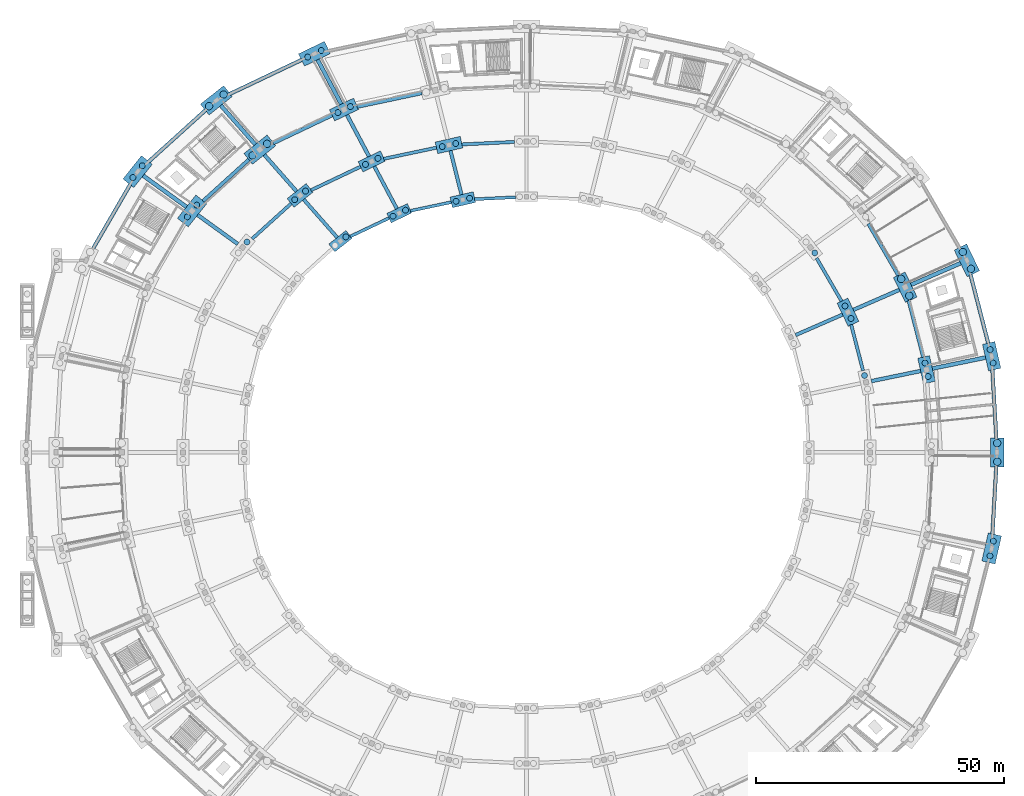
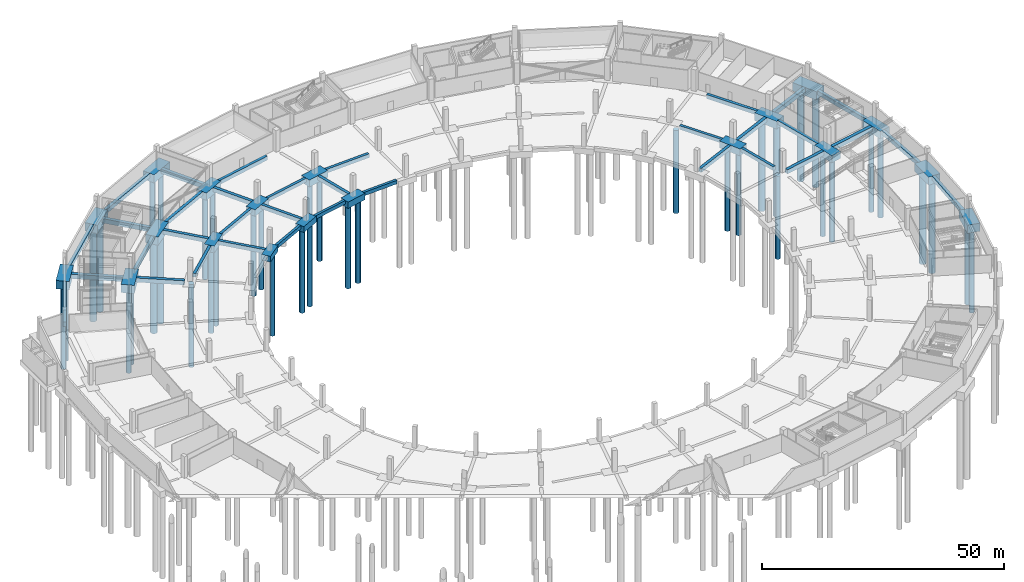
# One storey, part 5 of 49: 53 footings, 40 piles.
"""IFC4 building model written with IfcOpenShell, lengths in metres."""

from ifc_helpers import new_model, si_unit, direction, frame, origin, origin_2d, place, context, subcontext, project, spatial, rectangle, circle, extrude, material, material_profile, profile_set, type_object, element, save


model = new_model("IFC4")

# Units and contexts
model_context = context("Model", 3, precision=1e-05, world=origin(), true_north=direction((0.0, 1.0)))
body_context = subcontext(model_context, "Body", "Model", "MODEL_VIEW")
ifc_project = project(units=[si_unit("LENGTHUNIT", "METRE"), si_unit("AREAUNIT", "SQUARE_METRE"), si_unit("VOLUMEUNIT", "CUBIC_METRE"), si_unit("PLANEANGLEUNIT", "RADIAN"), si_unit("MASSUNIT", "GRAM", prefix="KILO")], contexts=[model_context])

# Site, building, storey
site_placement = place(None, origin())
site = spatial("IfcSite", under=ifc_project, at=site_placement, CompositionType="ELEMENT")
building_placement = place(site_placement, origin())
building = spatial("IfcBuilding", under=site, at=building_placement, Name="Kazemori Nagisa Stadium", CompositionType="ELEMENT")
storey_placement = place(building_placement, frame((0.0, 0.0, -5.43994140625)))
storey = spatial("IfcBuildingStorey", under=building, at=storey_placement, Name="B1", CompositionType="ELEMENT", Elevation=-5.43994140625)

# Footings
ifc_material_1 = material(Name="Concrete C40/50 (Fc42)", Category="concrete")
ifc_material_profile_1 = material_profile(ifc_material_1, rectangle(XDim=0.60009765625, YDim=0.89990234375, at=origin_2d()), Name="RC-FB-600x900")
ifc_profile_set_1 = profile_set([ifc_material_profile_1], Name="Concrete C40/50 (Fc42)")
footing_type_1 = type_object("IfcFootingType", Name="FootingBeam_FB-01", PredefinedType="FOOTING_BEAM", material=ifc_profile_set_1)
footing_1_placement = place(storey_placement, frame((120.822509765625, 153.4970703125, -0.449951171875), z_axis=(-0.998883768063, -0.047235769293, 0.0), x_axis=(0.047235769293, -0.998883768063, 0.0)))
element("IfcFooting", 1, at=footing_1_placement, inside=storey, type_object=footing_type_1, Name="Footing tie beam FB-01 R0-08", PredefinedType="FOOTING_BEAM", context=body_context, shape_type="SweptSolid", body=[
    extrude(rectangle(XDim=0.60009765625, YDim=0.89990234375, at=origin_2d()), origin(), (0.0, 0.0, 1.0), 8.31103515625),
])
footing_2_placement = place(storey_placement, frame((107.81494140625, 152.49951171875, -0.449951171875), z_axis=(-0.978344527802, -0.206983054668, 0.0), x_axis=(0.206983054668, -0.978344527802, 0.0)))
element("IfcFooting", 2, at=footing_2_placement, inside=storey, type_object=footing_type_1, Name="Footing tie beam FB-01 R0-09", PredefinedType="FOOTING_BEAM", context=body_context, shape_type="SweptSolid", body=[
    extrude(rectangle(XDim=0.60009765625, YDim=0.89990234375, at=origin_2d()), origin(), (0.0, 0.0, 1.0), 8.4501953125),
])
footing_3_placement = place(storey_placement, frame((95.2578125, 149.300048828125, -0.449951171875), z_axis=(-0.903216511221, -0.429185197623, 0.0), x_axis=(0.429185197623, -0.903216511221, 0.0)))
element("IfcFooting", 3, at=footing_3_placement, inside=storey, type_object=footing_type_1, Name="Footing tie beam FB-01 R0-10", PredefinedType="FOOTING_BEAM", context=body_context, shape_type="SweptSolid", body=[
    extrude(rectangle(XDim=0.60009765625, YDim=0.89990234375, at=origin_2d()), origin(), (0.0, 0.0, 1.0), 8.6884765625),
])
ifc_material_profile_2 = material_profile(ifc_material_1, rectangle(XDim=0.64990234375, YDim=0.949951171875, at=origin_2d()), Name="RC-FB-650x950")
ifc_profile_set_2 = profile_set([ifc_material_profile_2], Name="Concrete C40/50 (Fc42)")
footing_type_2 = type_object("IfcFootingType", Name="FootingBeam_FB-02", PredefinedType="FOOTING_BEAM", material=ifc_profile_set_2)
footing_4_placement = place(storey_placement, frame((190.925537109375, 118.51318359375, -0.47509765625), z_axis=(-0.249952010373, 0.968258226152, 0.0), x_axis=(-0.968258226152, -0.249952010373, 0.0)))
element("IfcFooting", 4, at=footing_4_placement, inside=storey, type_object=footing_type_2, Name="Footing tie beam FB-02 R1-02", PredefinedType="FOOTING_BEAM", context=body_context, shape_type="SweptSolid", body=[
    extrude(rectangle(XDim=0.64990234375, YDim=0.949951171875, at=origin_2d()), origin(), (0.0, 0.0, 1.0), 9.580078125),
])
footing_5_placement = place(storey_placement, frame((186.591796875, 132.51904296875, -0.47509765625), z_axis=(-0.50160440657, 0.865097115536, 0.0), x_axis=(-0.865097115536, -0.50160440657, 0.0)))
element("IfcFooting", 5, at=footing_5_placement, inside=storey, type_object=footing_type_2, Name="Footing tie beam FB-02 R1-03", PredefinedType="FOOTING_BEAM", context=body_context, shape_type="SweptSolid", body=[
    extrude(rectangle(XDim=0.64990234375, YDim=0.949951171875, at=origin_2d()), origin(), (0.0, 0.0, 1.0), 10.06005859375),
])
footing_6_placement = place(storey_placement, frame((120.57275390625, 164.665283203125, -0.47509765625), z_axis=(-0.998884313334, -0.047224237153, 0.0), x_axis=(0.047224237153, -0.998884313334, 0.0)))
element("IfcFooting", 6, at=footing_6_placement, inside=storey, type_object=footing_type_2, Name="Footing tie beam FB-02 R1-08", PredefinedType="FOOTING_BEAM", context=body_context, shape_type="SweptSolid", body=[
    extrude(rectangle(XDim=0.64990234375, YDim=0.949951171875, at=origin_2d()), origin(), (0.0, 0.0, 1.0), 10.64990234375),
])
footing_7_placement = place(storey_placement, frame((104.833740234375, 163.50634765625, -0.47509765625), z_axis=(-0.978344989236, -0.206980873599, 0.0), x_axis=(0.206980873599, -0.978344989236, 0.0)))
element("IfcFooting", 7, at=footing_7_placement, inside=storey, type_object=footing_type_2, Name="Footing tie beam FB-02 R1-09", PredefinedType="FOOTING_BEAM", context=body_context, shape_type="SweptSolid", body=[
    extrude(rectangle(XDim=0.64990234375, YDim=0.949951171875, at=origin_2d()), origin(), (0.0, 0.0, 1.0), 10.890625),
])
footing_8_placement = place(storey_placement, frame((89.5126953125, 159.674560546875, -0.47509765625), z_axis=(-0.903217972264, -0.429182122855, 0.0), x_axis=(0.429182122855, -0.903217972264, 0.0)))
element("IfcFooting", 8, at=footing_8_placement, inside=storey, type_object=footing_type_2, Name="Footing tie beam FB-02 R1-10", PredefinedType="FOOTING_BEAM", context=body_context, shape_type="SweptSolid", body=[
    extrude(rectangle(XDim=0.64990234375, YDim=0.949951171875, at=origin_2d()), origin(), (0.0, 0.0, 1.0), 11.08740234375),
])
footing_9_placement = place(storey_placement, frame((75.501953125, 152.2421875, -0.47509765625), z_axis=(-0.741350995567, -0.671117501912, 0.0), x_axis=(0.671117501912, -0.741350995567, 0.0)))
element("IfcFooting", 9, at=footing_9_placement, inside=storey, type_object=footing_type_2, Name="Footing tie beam FB-02 R1-11", PredefinedType="FOOTING_BEAM", context=body_context, shape_type="SweptSolid", body=[
    extrude(rectangle(XDim=0.64990234375, YDim=0.949951171875, at=origin_2d()), origin(), (0.0, 0.0, 1.0), 10.643798828125),
])
ifc_material_profile_3 = material_profile(ifc_material_1, rectangle(XDim=0.699951171875, YDim=1.0, at=origin_2d()), Name="RC-FB-700x1000")
ifc_profile_set_3 = profile_set([ifc_material_profile_3], Name="Concrete C40/50 (Fc42)")
footing_type_3 = type_object("IfcFootingType", Name="FootingBeam_FB-03", PredefinedType="FOOTING_BEAM", material=ifc_profile_set_3)
footing_10_placement = place(storey_placement, frame((203.080078125, 121.228515625, -0.5), z_axis=(-0.249961396027, 0.968255803234, 0.0), x_axis=(-0.968255803234, -0.249961396027, 0.0)))
element("IfcFooting", 10, at=footing_10_placement, inside=storey, type_object=footing_type_3, Name="Footing tie beam FB-03 R2-02", PredefinedType="FOOTING_BEAM", context=body_context, shape_type="SweptSolid", body=[
    extrude(rectangle(XDim=0.699951171875, YDim=1.0, at=origin_2d()), origin(), (0.0, 0.0, 1.0), 11.778076171875),
])
footing_11_placement = place(storey_placement, frame((198.046630859375, 137.7294921875, -0.5), z_axis=(-0.501617443405, 0.86508955633, 0.0), x_axis=(-0.86508955633, -0.501617443405, 0.0)))
element("IfcFooting", 11, at=footing_11_placement, inside=storey, type_object=footing_type_3, Name="Footing tie beam FB-03 R2-03", PredefinedType="FOOTING_BEAM", context=body_context, shape_type="SweptSolid", body=[
    extrude(rectangle(XDim=0.699951171875, YDim=1.0, at=origin_2d()), origin(), (0.0, 0.0, 1.0), 12.052734375),
])
footing_12_placement = place(storey_placement, frame((101.852294921875, 174.51318359375, -0.5), z_axis=(-0.978345281718, -0.206979491108, 0.0), x_axis=(0.206979491108, -0.978345281718, 0.0)))
element("IfcFooting", 12, at=footing_12_placement, inside=storey, type_object=footing_type_3, Name="Footing tie beam FB-03 R2-09", PredefinedType="FOOTING_BEAM", context=body_context, shape_type="SweptSolid", body=[
    extrude(rectangle(XDim=0.699951171875, YDim=1.0, at=origin_2d()), origin(), (0.0, 0.0, 1.0), 13.3310546875),
])
footing_13_placement = place(storey_placement, frame((83.767333984375, 170.049072265625, -0.5), z_axis=(-0.903212375508, -0.429193901085, 0.0), x_axis=(0.429193901085, -0.903212375508, 0.0)))
element("IfcFooting", 13, at=footing_13_placement, inside=storey, type_object=footing_type_3, Name="Footing tie beam FB-03 R2-10", PredefinedType="FOOTING_BEAM", context=body_context, shape_type="SweptSolid", body=[
    extrude(rectangle(XDim=0.699951171875, YDim=1.0, at=origin_2d()), origin(), (0.0, 0.0, 1.0), 13.186279296875),
])
footing_14_placement = place(storey_placement, frame((66.95654296875, 161.11083984375, -0.5), z_axis=(-0.741353641267, -0.671114579323, 0.0), x_axis=(0.671114579323, -0.741353641267, 0.0)))
element("IfcFooting", 14, at=footing_14_placement, inside=storey, type_object=footing_type_3, Name="Footing tie beam FB-03 R2-11", PredefinedType="FOOTING_BEAM", context=body_context, shape_type="SweptSolid", body=[
    extrude(rectangle(XDim=0.699951171875, YDim=1.0, at=origin_2d()), origin(), (0.0, 0.0, 1.0), 12.481689453125),
])
footing_15_placement = place(storey_placement, frame((177.321044921875, 125.681396484375, -0.5), z_axis=(0.916674906434, 0.399633727198, 0.0), x_axis=(-0.399633727198, 0.916674906434, 0.0)))
element("IfcFooting", 15, at=footing_15_placement, inside=storey, type_object=footing_type_3, Name="Footing tie beam FB-03 R0-R1-03", PredefinedType="FOOTING_BEAM", context=body_context, shape_type="SweptSolid", body=[
    extrude(rectangle(XDim=0.699951171875, YDim=1.0, at=origin_2d()), origin(), (0.0, 0.0, 1.0), 10.34521484375),
])
footing_16_placement = place(storey_placement, frame((109.87939453125, 154.039306640625, -0.5), z_axis=(-0.24448473673, 0.969653140822, 0.0), x_axis=(-0.969653140822, -0.24448473673, 0.0)))
element("IfcFooting", 16, at=footing_16_placement, inside=storey, type_object=footing_type_3, Name="Footing tie beam FB-03 R0-R1-09", PredefinedType="FOOTING_BEAM", context=body_context, shape_type="SweptSolid", body=[
    extrude(rectangle(XDim=0.699951171875, YDim=1.0, at=origin_2d()), origin(), (0.0, 0.0, 1.0), 9.134033203125),
])
footing_17_placement = place(storey_placement, frame((96.83349609375, 151.18798828125, -0.5), z_axis=(-0.469669808889, 0.882842154985, 0.0), x_axis=(-0.882842154985, -0.469669808889, 0.0)))
element("IfcFooting", 17, at=footing_17_placement, inside=storey, type_object=footing_type_3, Name="Footing tie beam FB-03 R0-R1-10", PredefinedType="FOOTING_BEAM", context=body_context, shape_type="SweptSolid", body=[
    extrude(rectangle(XDim=0.699951171875, YDim=1.0, at=origin_2d()), origin(), (0.0, 0.0, 1.0), 9.688232421875),
])
footing_18_placement = place(storey_placement, frame((84.79345703125, 145.370849609375, -0.5), z_axis=(-0.66102446192, 0.750364351994, 0.0), x_axis=(-0.750364351994, -0.66102446192, 0.0)))
element("IfcFooting", 18, at=footing_18_placement, inside=storey, type_object=footing_type_3, Name="Footing tie beam FB-03 R0-R1-11", PredefinedType="FOOTING_BEAM", context=body_context, shape_type="SweptSolid", body=[
    extrude(rectangle(XDim=0.699951171875, YDim=1.0, at=origin_2d()), origin(), (0.0, 0.0, 1.0), 10.225830078125),
])
ifc_material_profile_4 = material_profile(ifc_material_1, rectangle(XDim=0.75, YDim=1.050048828125, at=origin_2d()), Name="RC-FB-750x1050")
ifc_profile_set_4 = profile_set([ifc_material_profile_4], Name="Concrete C40/50 (Fc42)")
footing_type_4 = type_object("IfcFootingType", Name="FootingBeam_FB-04", PredefinedType="FOOTING_BEAM", material=ifc_profile_set_4)
footing_19_placement = place(storey_placement, frame((217.834228515625, 104.875244140625, -0.525146484375), z_axis=(-0.057608724806, 0.998339238348, 0.0), x_axis=(-0.998339238348, -0.057608724806, 0.0)))
element("IfcFooting", 19, at=footing_19_placement, inside=storey, type_object=footing_type_4, Name="Footing tie beam FB-04 R3-01", PredefinedType="FOOTING_BEAM", context=body_context, shape_type="SweptSolid", body=[
    extrude(rectangle(XDim=0.75, YDim=1.050048828125, at=origin_2d()), origin(), (0.0, 0.0, 1.0), 13.81982421875),
])
footing_20_placement = place(storey_placement, frame((216.198486328125, 124.041015625, -0.525146484375), z_axis=(-0.24996439027, 0.968255030246, 0.0), x_axis=(-0.968255030246, -0.24996439027, 0.0)))
element("IfcFooting", 20, at=footing_20_placement, inside=storey, type_object=footing_type_4, Name="Footing tie beam FB-04 R3-02", PredefinedType="FOOTING_BEAM", context=body_context, shape_type="SweptSolid", body=[
    extrude(rectangle(XDim=0.75, YDim=1.050048828125, at=origin_2d()), origin(), (0.0, 0.0, 1.0), 14.2763671875),
])
footing_21_placement = place(storey_placement, frame((77.593994140625, 181.228271484375, -0.525146484375), z_axis=(-0.90321354829, -0.42919143303, 0.0), x_axis=(0.42919143303, -0.90321354829, 0.0)))
element("IfcFooting", 21, at=footing_21_placement, inside=storey, type_object=footing_type_4, Name="Footing tie beam FB-04 R3-10", PredefinedType="FOOTING_BEAM", context=body_context, shape_type="SweptSolid", body=[
    extrude(rectangle(XDim=0.75, YDim=1.050048828125, at=origin_2d()), origin(), (0.0, 0.0, 1.0), 16.054443359375),
])
footing_22_placement = place(storey_placement, frame((58.19287109375, 171.05908203125, -0.525146484375), z_axis=(-0.741348232984, -0.671120553591, 0.0), x_axis=(0.671120553591, -0.741348232984, 0.0)))
element("IfcFooting", 22, at=footing_22_placement, inside=storey, type_object=footing_type_4, Name="Footing tie beam FB-04 R3-11", PredefinedType="FOOTING_BEAM", context=body_context, shape_type="SweptSolid", body=[
    extrude(rectangle(XDim=0.75, YDim=1.050048828125, at=origin_2d()), origin(), (0.0, 0.0, 1.0), 15.48388671875),
])
footing_23_placement = place(storey_placement, frame((43.009765625, 156.089599609375, -0.525146484375), z_axis=(-0.501604431763, -0.865097100929, 0.0), x_axis=(0.865097100929, -0.501604431763, 0.0)))
element("IfcFooting", 23, at=footing_23_placement, inside=storey, type_object=footing_type_4, Name="Footing tie beam FB-04 R3-12", PredefinedType="FOOTING_BEAM", context=body_context, shape_type="SweptSolid", body=[
    extrude(rectangle(XDim=0.75, YDim=1.050048828125, at=origin_2d()), origin(), (0.0, 0.0, 1.0), 14.852294921875),
])
footing_24_placement = place(storey_placement, frame((217.046630859375, 85.4775390625, -0.525146484375), z_axis=(0.057615362479, 0.998338855302, 0.0), x_axis=(-0.998338855302, 0.057615362479, 0.0)))
element("IfcFooting", 24, at=footing_24_placement, inside=storey, type_object=footing_type_4, Name="Footing tie beam FB-04 R3-28", PredefinedType="FOOTING_BEAM", context=body_context, shape_type="SweptSolid", body=[
    extrude(rectangle(XDim=0.75, YDim=1.050048828125, at=origin_2d()), origin(), (0.0, 0.0, 1.0), 13.669921875),
])
footing_25_placement = place(storey_placement, frame((192.615234375, 116.3837890625, -0.525146484375), z_axis=(0.979310240973, 0.20236465088, 0.0), x_axis=(-0.20236465088, 0.979310240973, 0.0)))
element("IfcFooting", 25, at=footing_25_placement, inside=storey, type_object=footing_type_4, Name="Footing tie beam FB-04 R1-R2-02", PredefinedType="FOOTING_BEAM", context=body_context, shape_type="SweptSolid", body=[
    extrude(rectangle(XDim=0.75, YDim=1.050048828125, at=origin_2d()), origin(), (0.0, 0.0, 1.0), 10.152099609375),
])
footing_26_placement = place(storey_placement, frame((188.9677734375, 130.7587890625, -0.525146484375), z_axis=(0.916680142316, 0.399621716982, 0.0), x_axis=(-0.399621716982, 0.916680142316, 0.0)))
element("IfcFooting", 26, at=footing_26_placement, inside=storey, type_object=footing_type_4, Name="Footing tie beam FB-04 R1-R2-03", PredefinedType="FOOTING_BEAM", context=body_context, shape_type="SweptSolid", body=[
    extrude(rectangle(XDim=0.75, YDim=1.050048828125, at=origin_2d()), origin(), (0.0, 0.0, 1.0), 10.14501953125),
])
footing_27_placement = place(storey_placement, frame((91.221923828125, 161.736572265625, -0.525146484375), z_axis=(-0.469662472515, 0.882846057878, 0.0), x_axis=(-0.882846057878, -0.469662472515, 0.0)))
element("IfcFooting", 27, at=footing_27_placement, inside=storey, type_object=footing_type_4, Name="Footing tie beam FB-04 R1-R2-10", PredefinedType="FOOTING_BEAM", context=body_context, shape_type="SweptSolid", body=[
    extrude(rectangle(XDim=0.75, YDim=1.050048828125, at=origin_2d()), origin(), (0.0, 0.0, 1.0), 9.48828125),
])
footing_28_placement = place(storey_placement, frame((76.572998046875, 154.7021484375, -0.525146484375), z_axis=(-0.661019884248, 0.750368384615, 0.0), x_axis=(-0.750368384615, -0.661019884248, 0.0)))
element("IfcFooting", 28, at=footing_28_placement, inside=storey, type_object=footing_type_4, Name="Footing tie beam FB-04 R1-R2-11", PredefinedType="FOOTING_BEAM", context=body_context, shape_type="SweptSolid", body=[
    extrude(rectangle(XDim=0.75, YDim=1.050048828125, at=origin_2d()), origin(), (0.0, 0.0, 1.0), 9.825927734375),
])
footing_29_placement = place(storey_placement, frame((64.74169921875, 144.05810546875, -0.525146484375), z_axis=(-0.81079607804, 0.585328728011, 0.0), x_axis=(-0.585328728011, -0.81079607804, 0.0)))
element("IfcFooting", 29, at=footing_29_placement, inside=storey, type_object=footing_type_4, Name="Footing tie beam FB-04 R1-R2-12", PredefinedType="FOOTING_BEAM", context=body_context, shape_type="SweptSolid", body=[
    extrude(rectangle(XDim=0.75, YDim=1.050048828125, at=origin_2d()), origin(), (0.0, 0.0, 1.0), 10.02587890625),
])
ifc_material_profile_5 = material_profile(ifc_material_1, rectangle(XDim=0.800048828125, YDim=1.10009765625, at=origin_2d()), Name="RC-FB-800x1100")
ifc_profile_set_5 = profile_set([ifc_material_profile_5], Name="Concrete C40/50 (Fc42)")
footing_type_5 = type_object("IfcFootingType", Name="FootingBeam_FB-05", PredefinedType="FOOTING_BEAM", material=ifc_profile_set_5)
footing_30_placement = place(storey_placement, frame((204.91748046875, 118.92578125, -0.550048828125), z_axis=(0.979312654266, 0.202352971798, 0.0), x_axis=(-0.202352971798, 0.979312654266, 0.0)))
element("IfcFooting", 30, at=footing_30_placement, inside=storey, type_object=footing_type_5, Name="Footing tie beam FB-05 R2-R3-02", PredefinedType="FOOTING_BEAM", context=body_context, shape_type="SweptSolid", body=[
    extrude(rectangle(XDim=0.800048828125, YDim=1.10009765625, at=origin_2d()), origin(), (0.0, 0.0, 1.0), 10.961181640625),
])
footing_31_placement = place(storey_placement, frame((200.614501953125, 135.836181640625, -0.550048828125), z_axis=(0.916679157117, 0.399623976893, 0.0), x_axis=(-0.399623976893, 0.916679157117, 0.0)))
element("IfcFooting", 31, at=footing_31_placement, inside=storey, type_object=footing_type_5, Name="Footing tie beam FB-05 R2-R3-03", PredefinedType="FOOTING_BEAM", context=body_context, shape_type="SweptSolid", body=[
    extrude(rectangle(XDim=0.800048828125, YDim=1.10009765625, at=origin_2d()), origin(), (0.0, 0.0, 1.0), 10.914794921875),
])
footing_32_placement = place(storey_placement, frame((85.6103515625, 172.28515625, -0.550048828125), z_axis=(-0.469663907112, 0.88284529469, 0.0), x_axis=(-0.88284529469, -0.469663907112, 0.0)))
element("IfcFooting", 32, at=footing_32_placement, inside=storey, type_object=footing_type_5, Name="Footing tie beam FB-05 R2-R3-10", PredefinedType="FOOTING_BEAM", context=body_context, shape_type="SweptSolid", body=[
    extrude(rectangle(XDim=0.800048828125, YDim=1.10009765625, at=origin_2d()), origin(), (0.0, 0.0, 1.0), 10.175048828125),
])
footing_33_placement = place(storey_placement, frame((68.25341796875, 164.146240234375, -0.550048828125), z_axis=(-0.661018384003, 0.750369706218, 0.0), x_axis=(-0.750369706218, -0.661018384003, 0.0)))
element("IfcFooting", 33, at=footing_33_placement, inside=storey, type_object=footing_type_5, Name="Footing tie beam FB-05 R2-R3-11", PredefinedType="FOOTING_BEAM", context=body_context, shape_type="SweptSolid", body=[
    extrude(rectangle(XDim=0.800048828125, YDim=1.10009765625, at=origin_2d()), origin(), (0.0, 0.0, 1.0), 10.497802734375),
])
footing_34_placement = place(storey_placement, frame((54.375, 151.5419921875, -0.550048828125), z_axis=(-0.810794921926, 0.585330329454, 0.0), x_axis=(-0.585330329454, -0.810794921926, 0.0)))
element("IfcFooting", 34, at=footing_34_placement, inside=storey, type_object=footing_type_5, Name="Footing tie beam FB-05 R2-R3-12", PredefinedType="FOOTING_BEAM", context=body_context, shape_type="SweptSolid", body=[
    extrude(rectangle(XDim=0.800048828125, YDim=1.10009765625, at=origin_2d()), origin(), (0.0, 0.0, 1.0), 10.793701171875),
])
footing_type_6 = type_object("IfcFootingType", Name="PileCap_PC-01", PredefinedType="PILE_CAP", material=ifc_material_1)
footing_35_placement = place(storey_placement, frame((97.317138671875, 150.278564453125, -1.5), z_axis=(0.0, 0.0, 1.0), x_axis=(-0.900968867905, -0.433883739113, 0.0)))
element("IfcFooting", 35, at=footing_35_placement, inside=storey, type_object=footing_type_6, Name="Pile cap PC-01 R0-10", PredefinedType="PILE_CAP", context=body_context, shape_type="SweptSolid", body=[
    extrude(rectangle(XDim=4.60009765625, YDim=2.10009765625, at=origin_2d()), origin(), (0.0, 0.0, 1.0), 1.5),
])
footing_type_7 = type_object("IfcFootingType", Name="PileCap_PC-02", PredefinedType="PILE_CAP", material=ifc_material_1)
footing_36_placement = place(storey_placement, frame((110.143310546875, 152.9921875, -1.60009765625), z_axis=(0.0, 0.0, 1.0), x_axis=(-0.974927912182, -0.222520933954, 0.0)))
element("IfcFooting", 36, at=footing_36_placement, inside=storey, type_object=footing_type_7, Name="Pile cap PC-02 R0-09", PredefinedType="PILE_CAP", context=body_context, shape_type="SweptSolid", body=[
    extrude(rectangle(XDim=4.800048828125, YDim=2.199951171875, at=origin_2d()), origin(), (0.0, 0.0, 1.0), 1.60009765625),
])
footing_type_8 = type_object("IfcFootingType", Name="PileCap_PC-03", PredefinedType="PILE_CAP", material=ifc_material_1)
footing_37_placement = place(storey_placement, frame((91.75244140625, 160.739013671875, -1.64990234375), z_axis=(0.0, 0.0, 1.0), x_axis=(-0.900968867905, -0.433883739113, 0.0)))
element("IfcFooting", 37, at=footing_37_placement, inside=storey, type_object=footing_type_8, Name="Pile cap PC-03 R1-10", PredefinedType="PILE_CAP", context=body_context, shape_type="SweptSolid", body=[
    extrude(rectangle(XDim=5.0, YDim=2.300048828125, at=origin_2d()), origin(), (0.0, 0.0, 1.0), 1.64990234375),
])
footing_type_9 = type_object("IfcFootingType", Name="PileCap_PC-04", PredefinedType="PILE_CAP", material=ifc_material_1)
for number, where, z_axis, x_axis, name in (
    (38, (187.885986328125, 130.287109375, -1.75), (0.0, 0.0, 1.0), (-0.433883739113, 0.900968867905, 0.0), "Pile cap PC-04 R1-03"),
    (39, (107.35791015625, 164.040283203125, -1.75), (0.0, 0.0, 1.0), (-0.974927912182, -0.222520933954, 0.0), "Pile cap PC-04 R1-09"),
):
    element("IfcFooting", number, at=place(storey_placement, frame(where, z_axis=z_axis, x_axis=x_axis)), inside=storey, type_object=footing_type_9, Name=name, PredefinedType="PILE_CAP", context=body_context, shape_type="SweptSolid", body=[
        extrude(rectangle(XDim=5.199951171875, YDim=2.39990234375, at=origin_2d()), origin(), (0.0, 0.0, 1.0), 1.75),
    ])
footing_type_10 = type_object("IfcFootingType", Name="PileCap_PC-05", PredefinedType="PILE_CAP", material=ifc_material_1)
footing_38_placement = place(storey_placement, frame((86.18798828125, 171.19921875, -1.85009765625), z_axis=(0.0, 0.0, 1.0), x_axis=(-0.900968867905, -0.433883739113, 0.0)))
element("IfcFooting", 40, at=footing_38_placement, inside=storey, type_object=footing_type_10, Name="Pile cap PC-05 R2-10", PredefinedType="PILE_CAP", context=body_context, shape_type="SweptSolid", body=[
    extrude(rectangle(XDim=5.39990234375, YDim=2.5, at=origin_2d()), origin(), (0.0, 0.0, 1.0), 1.85009765625),
])
footing_type_11 = type_object("IfcFootingType", Name="PileCap_PC-06", PredefinedType="PILE_CAP", material=ifc_material_1)
footing_39_placement = place(storey_placement, frame((199.44091796875, 135.32470703125, -1.9501953125), z_axis=(0.0, 0.0, 1.0), x_axis=(-0.433883739113, 0.900968867905, 0.0)))
element("IfcFooting", 41, at=footing_39_placement, inside=storey, type_object=footing_type_11, Name="Pile cap PC-06 R2-03", PredefinedType="PILE_CAP", context=body_context, shape_type="SweptSolid", body=[
    extrude(rectangle(XDim=5.60009765625, YDim=2.60009765625, at=origin_2d()), origin(), (0.0, 0.0, 1.0), 1.949951171875),
])
footing_type_12 = type_object("IfcFootingType", Name="PileCap_PC-07", PredefinedType="PILE_CAP", material=ifc_material_1)
for number, where, z_axis, x_axis, name in (
    (42, (218.0, 102.0, -2.05029296875), (0.0, 0.0, 1.0), (0.0, 1.0, 0.0), "Pile cap PC-07 R3-01"),
    (43, (80.1953125, 182.46435546875, -2.05029296875), (0.0, 0.0, 1.0), (-0.900968867905, -0.433883739113, 0.0), "Pile cap PC-07 R3-10"),
    (44, (216.880859375, 82.602294921875, -2.05029296875), (0.0, 0.0, 1.0), (0.222520933954, 0.974927912182, 0.0), "Pile cap PC-07 R3-28"),
):
    element("IfcFooting", number, at=place(storey_placement, frame(where, z_axis=z_axis, x_axis=x_axis)), inside=storey, type_object=footing_type_12, Name=name, PredefinedType="PILE_CAP", context=body_context, shape_type="SweptSolid", body=[
        extrude(rectangle(XDim=5.800048828125, YDim=2.75, at=origin_2d()), origin(), (0.0, 0.0, 1.0), 2.050048828125),
    ])
footing_type_13 = type_object("IfcFootingType", Name="PileCap_PC-08", PredefinedType="PILE_CAP", material=ifc_material_1)
footing_40_placement = place(storey_placement, frame((85.441162109375, 144.635498046875, -1.4501953125), z_axis=(0.0, 0.0, 1.0), x_axis=(-0.781831482473, -0.623489801853, 0.0)))
element("IfcFooting", 45, at=footing_40_placement, inside=storey, type_object=footing_type_13, Name="Pile cap PC-08 R0-11", PredefinedType="PILE_CAP", context=body_context, shape_type="SweptSolid", body=[
    extrude(rectangle(XDim=4.39990234375, YDim=2.0, at=origin_2d()), origin(), (0.0, 0.0, 1.0), 1.449951171875),
])
footing_type_14 = type_object("IfcFootingType", Name="PileCap_PC-09", PredefinedType="PILE_CAP", material=ifc_material_1)
footing_41_placement = place(storey_placement, frame((77.303466796875, 153.873046875, -1.7001953125), z_axis=(0.0, 0.0, 1.0), x_axis=(-0.781831482473, -0.623489801853, 0.0)))
element("IfcFooting", 46, at=footing_41_placement, inside=storey, type_object=footing_type_14, Name="Pile cap PC-09 R1-11", PredefinedType="PILE_CAP", context=body_context, shape_type="SweptSolid", body=[
    extrude(rectangle(XDim=4.89990234375, YDim=2.25, at=origin_2d()), origin(), (0.0, 0.0, 1.0), 1.699951171875),
])
footing_type_15 = type_object("IfcFootingType", Name="PileCap_PC-10", PredefinedType="PILE_CAP", material=ifc_material_1)
footing_42_placement = place(storey_placement, frame((203.737548828125, 118.68212890625, -1.80029296875), z_axis=(0.0, 0.0, 1.0), x_axis=(-0.222520933954, 0.974927912182, 0.0)))
element("IfcFooting", 47, at=footing_42_placement, inside=storey, type_object=footing_type_15, Name="Pile cap PC-10 R2-02", PredefinedType="PILE_CAP", context=body_context, shape_type="SweptSolid", body=[
    extrude(rectangle(XDim=5.300048828125, YDim=2.449951171875, at=origin_2d()), origin(), (0.0, 0.0, 1.0), 1.800048828125),
])
footing_type_16 = type_object("IfcFootingType", Name="PileCap_PC-11", PredefinedType="PILE_CAP", material=ifc_material_1)
footing_43_placement = place(storey_placement, frame((216.880859375, 121.397705078125, -1.89990234375), z_axis=(0.0, 0.0, 1.0), x_axis=(-0.222520933954, 0.974927912182, 0.0)))
element("IfcFooting", 48, at=footing_43_placement, inside=storey, type_object=footing_type_16, Name="Pile cap PC-11 R3-02", PredefinedType="PILE_CAP", context=body_context, shape_type="SweptSolid", body=[
    extrude(rectangle(XDim=5.5, YDim=2.550048828125, at=origin_2d()), origin(), (0.0, 0.0, 1.0), 1.89990234375),
])
footing_type_17 = type_object("IfcFootingType", Name="PileCap_PC-12", PredefinedType="PILE_CAP", material=ifc_material_1)
for number, where, z_axis, x_axis, name in (
    (49, (69.165771484375, 163.11083984375, -2.10009765625), (0.0, 0.0, 1.0), (-0.781831482473, -0.623489801853, 0.0), "Pile cap PC-12 R2-11"),
    (50, (55.493896484375, 150.734130859375, -2.10009765625), (0.0, 0.0, 1.0), (-0.623489801853, -0.781831482473, 0.0), "Pile cap PC-12 R2-12"),
    (51, (211.885009765625, 140.74951171875, -2.10009765625), (0.0, 0.0, 1.0), (-0.433883739113, 0.900968867905, 0.0), "Pile cap PC-12 R3-03"),
    (52, (60.402099609375, 173.05908203125, -2.10009765625), (0.0, 0.0, 1.0), (-0.781831482473, -0.623489801853, 0.0), "Pile cap PC-12 R3-11"),
    (53, (44.504638671875, 158.667724609375, -2.10009765625), (0.0, 0.0, 1.0), (-0.623489801853, -0.781831482473, 0.0), "Pile cap PC-12 R3-12"),
):
    element("IfcFooting", number, at=place(storey_placement, frame(where, z_axis=z_axis, x_axis=x_axis)), inside=storey, type_object=footing_type_17, Name=name, PredefinedType="PILE_CAP", context=body_context, shape_type="SweptSolid", body=[
        extrude(rectangle(XDim=6.0, YDim=2.800048828125, at=origin_2d()), origin(), (0.0, 0.0, 1.0), 2.10009765625),
    ])

# Piles
ifc_material_2 = material(Name="Concrete C36/45 (Fc36)", Category="concrete")
ifc_material_profile_6 = material_profile(ifc_material_2, circle(Radius=0.60009765625, at=origin_2d()), Name="PILE-D1200")
ifc_profile_set_6 = profile_set([ifc_material_profile_6], Name="Concrete C36/45 (Fc36)")
pile_type_1 = type_object("IfcPileType", Name="Pile_PL-1200", PredefinedType="BORED", material=ifc_profile_set_6)
for number, where, z_axis, x_axis, name in (
    (54, (111.50830078125, 153.3037109375, -1.5), (0.0, 0.0, -1.0), (1.0, 0.0, 0.0), "Bored pile PL-1200 R0-09-1"),
    (55, (108.778564453125, 152.6806640625, -1.5), (0.0, 0.0, -1.0), (1.0, 0.0, 0.0), "Bored pile PL-1200 R0-09-2"),
    (56, (98.57861328125, 150.885986328125, -1.400146484375), (0.0, 0.0, -1.0), (1.0, 0.0, 0.0), "Bored pile PL-1200 R0-10-1"),
    (57, (96.055908203125, 149.671142578125, -1.400146484375), (0.0, 0.0, -1.0), (1.0, 0.0, 0.0), "Bored pile PL-1200 R0-10-2"),
    (58, (86.535888671875, 145.50830078125, -1.35009765625), (0.0, 0.0, -1.0), (1.0, 0.0, 0.0), "Bored pile PL-1200 R0-11-1"),
    (59, (191.221435546875, 117.525146484375, -1.60009765625), (0.0, 0.0, -1.0), (1.0, 0.0, 0.0), "Bored pile PL-1200 R1-02-2"),
    (60, (188.493408203125, 129.02587890625, -1.650146484375), (0.0, 0.0, -1.0), (1.0, 0.0, 0.0), "Bored pile PL-1200 R1-03-1"),
    (61, (187.278564453125, 131.548583984375, -1.650146484375), (0.0, 0.0, -1.0), (1.0, 0.0, 0.0), "Bored pile PL-1200 R1-03-2"),
    (62, (181.174560546875, 142.272705078125, -1.550048828125), (0.0, 0.0, -1.0), (1.0, 0.0, 0.0), "Bored pile PL-1200 R1-04-1"),
    (63, (108.72265625, 164.351806640625, -1.650146484375), (0.0, 0.0, -1.0), (1.0, 0.0, 0.0), "Bored pile PL-1200 R1-09-1"),
    (64, (105.992919921875, 163.728759765625, -1.650146484375), (0.0, 0.0, -1.0), (1.0, 0.0, 0.0), "Bored pile PL-1200 R1-09-2"),
    (65, (93.013916015625, 161.346435546875, -1.550048828125), (0.0, 0.0, -1.0), (1.0, 0.0, 0.0), "Bored pile PL-1200 R1-10-1"),
    (66, (90.4912109375, 160.13134765625, -1.550048828125), (0.0, 0.0, -1.0), (1.0, 0.0, 0.0), "Bored pile PL-1200 R1-10-2"),
    (67, (78.39794921875, 154.745849609375, -1.60009765625), (0.0, 0.0, -1.0), (1.0, 0.0, 0.0), "Bored pile PL-1200 R1-11-1"),
    (68, (76.208984375, 153.000244140625, -1.60009765625), (0.0, 0.0, -1.0), (1.0, 0.0, 0.0), "Bored pile PL-1200 R1-11-2"),
    (69, (66.5712890625, 144.4619140625, -1.650146484375), (0.0, 0.0, -1.0), (1.0, 0.0, 0.0), "Bored pile PL-1200 R1-12-1"),
    (70, (204.049072265625, 117.317138671875, -1.699951171875), (0.0, 0.0, -1.0), (1.0, 0.0, 0.0), "Bored pile PL-1200 R2-02-1"),
    (71, (203.426025390625, 120.046875, -1.699951171875), (0.0, 0.0, -1.0), (1.0, 0.0, 0.0), "Bored pile PL-1200 R2-02-2"),
    (72, (87.44921875, 171.806640625, -1.75), (0.0, 0.0, -1.0), (1.0, 0.0, 0.0), "Bored pile PL-1200 R2-10-1"),
    (73, (84.926513671875, 170.591796875, -1.75), (0.0, 0.0, -1.0), (1.0, 0.0, 0.0), "Bored pile PL-1200 R2-10-2"),
    (74, (56.441650390625, 151.922607421875, -2.0), (0.0, 0.0, -1.0), (1.0, 0.0, 0.0), "Bored pile PL-1200 R2-12-1"),
    (75, (54.54638671875, 149.5458984375, -2.0), (0.0, 0.0, -1.0), (1.0, 0.0, 0.0), "Bored pile PL-1200 R2-12-2"),
    (76, (217.1923828125, 120.03271484375, -1.800048828125), (0.0, 0.0, -1.0), (1.0, 0.0, 0.0), "Bored pile PL-1200 R3-02-1"),
    (77, (216.5693359375, 122.7626953125, -1.800048828125), (0.0, 0.0, -1.0), (1.0, 0.0, 0.0), "Bored pile PL-1200 R3-02-2"),
    (78, (81.564697265625, 183.123779296875, -1.949951171875), (0.0, 0.0, -1.0), (1.0, 0.0, 0.0), "Bored pile PL-1200 R3-10-1"),
    (79, (78.82568359375, 181.8046875, -1.949951171875), (0.0, 0.0, -1.0), (1.0, 0.0, 0.0), "Bored pile PL-1200 R3-10-2"),
    (80, (45.452392578125, 159.85595703125, -2.0), (0.0, 0.0, -1.0), (1.0, 0.0, 0.0), "Bored pile PL-1200 R3-12-1"),
    (81, (43.556884765625, 157.479248046875, -2.0), (0.0, 0.0, -1.0), (1.0, 0.0, 0.0), "Bored pile PL-1200 R3-12-2"),
    (82, (216.54248046875, 81.120361328125, -1.949951171875), (0.0, 0.0, -1.0), (1.0, 0.0, 0.0), "Bored pile PL-1200 R3-28-1"),
    (83, (217.218994140625, 84.084228515625, -1.949951171875), (0.0, 0.0, -1.0), (1.0, 0.0, 0.0), "Bored pile PL-1200 R3-28-2"),
):
    element("IfcPile", number, at=place(storey_placement, frame(where, z_axis=z_axis, x_axis=x_axis)), inside=storey, type_object=pile_type_1, Name=name, PredefinedType="BORED", context=body_context, shape_type="SweptSolid", body=[
        extrude(circle(Radius=0.60009765625, at=origin_2d()), origin(), (0.0, 0.0, 1.0), 21.0),
    ])
ifc_material_profile_7 = material_profile(ifc_material_2, circle(Radius=0.75, at=origin_2d()), Name="PILE-D1500")
ifc_profile_set_7 = profile_set([ifc_material_profile_7], Name="Concrete C36/45 (Fc36)")
pile_type_2 = type_object("IfcPileType", Name="Pile_PL-1500", PredefinedType="BORED", material=ifc_profile_set_7)
for number, where, z_axis, x_axis, name in (
    (84, (200.2568359375, 133.630859375, -1.85009765625), (0.0, 0.0, -1.0), (1.0, 0.0, 0.0), "Bored pile PL-1500 R2-03-1"),
    (85, (198.625244140625, 137.018310546875, -1.85009765625), (0.0, 0.0, -1.0), (1.0, 0.0, 0.0), "Bored pile PL-1500 R2-03-2"),
    (86, (70.635498046875, 164.282958984375, -2.0), (0.0, 0.0, -1.0), (1.0, 0.0, 0.0), "Bored pile PL-1500 R2-11-1"),
    (87, (67.69580078125, 161.9384765625, -2.0), (0.0, 0.0, -1.0), (1.0, 0.0, 0.0), "Bored pile PL-1500 R2-11-2"),
    (88, (218.0, 100.1201171875, -1.949951171875), (0.0, 0.0, -1.0), (1.0, 0.0, 0.0), "Bored pile PL-1500 R3-01-1"),
    (89, (218.0, 103.8798828125, -1.949951171875), (0.0, 0.0, -1.0), (1.0, 0.0, 0.0), "Bored pile PL-1500 R3-01-2"),
    (90, (212.70068359375, 139.0556640625, -2.0), (0.0, 0.0, -1.0), (1.0, 0.0, 0.0), "Bored pile PL-1500 R3-03-1"),
    (91, (211.0693359375, 142.443359375, -2.0), (0.0, 0.0, -1.0), (1.0, 0.0, 0.0), "Bored pile PL-1500 R3-03-2"),
    (92, (61.871826171875, 174.231201171875, -2.0), (0.0, 0.0, -1.0), (1.0, 0.0, 0.0), "Bored pile PL-1500 R3-11-1"),
    (93, (58.93212890625, 171.88671875, -2.0), (0.0, 0.0, -1.0), (1.0, 0.0, 0.0), "Bored pile PL-1500 R3-11-2"),
):
    element("IfcPile", number, at=place(storey_placement, frame(where, z_axis=z_axis, x_axis=x_axis)), inside=storey, type_object=pile_type_2, Name=name, PredefinedType="BORED", context=body_context, shape_type="SweptSolid", body=[
        extrude(circle(Radius=0.75, at=origin_2d()), origin(), (0.0, 0.0, 1.0), 23.0),
    ])

save(model, "model.ifc")
